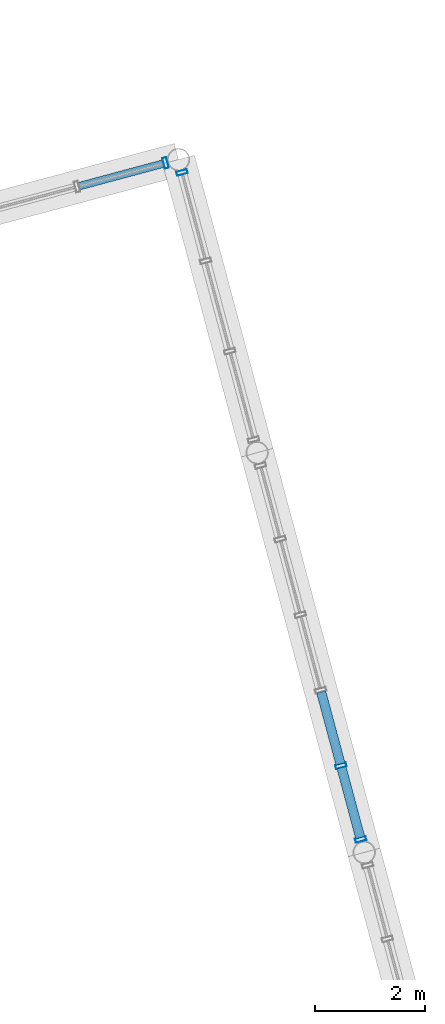
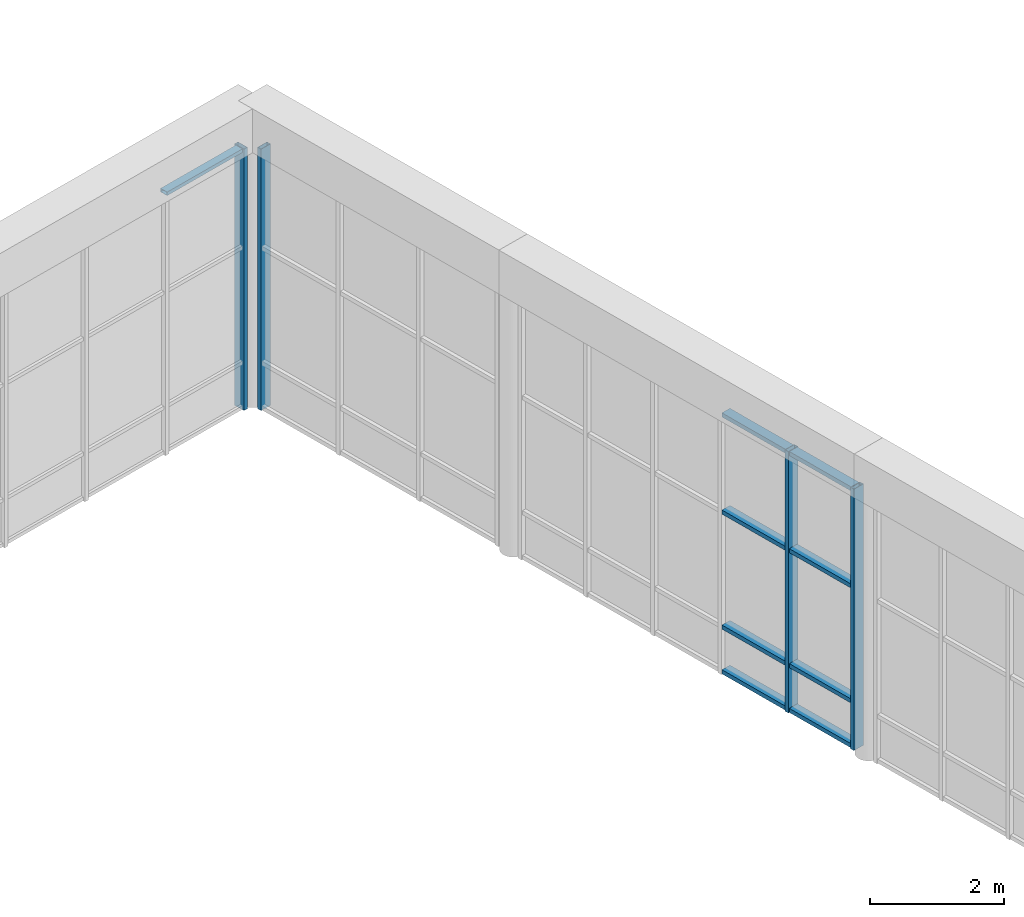
# One storey, part 36 of 55: 13 members, 3 elements without a shape of their own.
"""IFC4 building model written with IfcOpenShell, lengths in metres."""

import ifcopenshell
import ifcopenshell.guid

model = None  # the IFC model being written
_history = None  # IfcOwnerHistory: only IFC2X3 demands one
_inside = {}  # id of a spatial element -> (the spatial element, [elements in it])
_under = {}  # id of a project, library or spatial element -> (it, [spatial elements below it])
_declared = {}  # id of a project -> (the project, [libraries it declares])
_typed = {}  # id of a type object -> (the type object, [elements of that type])
_made_of = {}  # id of a material, layer set ... -> (it, [elements and type objects made of it])


def new_model(schema):
    """Start an empty IFC model of exactly this schema.

    Asked for "IFC4X3", IfcOpenShell would pick the latest addendum, in which some entities
    have other attributes; the version numbers below select the first issue.
    IFC2X3 requires an IfcOwnerHistory on every rooted entity: one is made here for all.
    """
    global model, _history
    if schema == "IFC4X3":
        model = ifcopenshell.file(schema_version=(4, 3, 0, 0))
    else:
        model = ifcopenshell.file(schema=schema)
    _inside.clear()
    _under.clear()
    _declared.clear()
    _typed.clear()
    _made_of.clear()
    _history = None
    if model.schema == "IFC2X3":
        org = make("IfcOrganization", Name="unknown")
        user = make(
            "IfcPersonAndOrganization",
            ThePerson=make("IfcPerson", FamilyName="unknown"),
            TheOrganization=org,
        )
        app = make(
            "IfcApplication",
            ApplicationDeveloper=org,
            Version="unknown",
            ApplicationFullName="unknown",
            ApplicationIdentifier="unknown",
        )
        _history = make(
            "IfcOwnerHistory",
            OwningUser=user,
            OwningApplication=app,
            ChangeAction="ADDED",
            CreationDate=0,
        )
    return model


def make(cls, **values):
    """One entity of the class cls with the attributes given. An attribute that is None is left unset."""
    return model.create_entity(
        cls, **{name: value for name, value in values.items() if value is not None}
    )


def rooted(cls, **values):
    """An entity with a GlobalId (a new one), such as an element, a storey or a relation."""
    return make(cls, GlobalId=ifcopenshell.guid.new(), OwnerHistory=_history, **values)


def si_unit(unit_type, name, prefix=None):
    """IfcSIUnit, for example si_unit("LENGTHUNIT", "METRE", prefix="MILLI")."""
    return make("IfcSIUnit", UnitType=unit_type, Prefix=prefix, Name=name)


def assignment(units):
    """IfcUnitAssignment: the units of a project."""
    return None if units is None else make("IfcUnitAssignment", Units=units)


def point(xyz):
    """IfcCartesianPoint."""
    return None if xyz is None else make("IfcCartesianPoint", Coordinates=xyz)


def direction(xyz):
    """IfcDirection."""
    return None if xyz is None else make("IfcDirection", DirectionRatios=xyz)


def frame(location, z_axis=None, x_axis=None):
    """IfcAxis2Placement3D, a coordinate frame: its origin and axes. An axis left out is left unset."""
    return make(
        "IfcAxis2Placement3D",
        Location=point(location),
        Axis=direction(z_axis),
        RefDirection=direction(x_axis),
    )


def frame_2d(location, x_axis=None):
    """IfcAxis2Placement2D, a coordinate frame in the plane: its origin and x axis."""
    return make(
        "IfcAxis2Placement2D", Location=point(location), RefDirection=direction(x_axis)
    )


def origin():
    """The frame at (0, 0, 0) with its axes left unset."""
    return frame((0.0, 0.0, 0.0))


def origin_2d():
    """The frame at (0, 0) in the plane with its x axis left unset."""
    return frame_2d((0.0, 0.0))


def place(relative_to, where):
    """IfcLocalPlacement: puts the frame where relative to a parent placement (None: the world)."""
    return make(
        "IfcLocalPlacement", PlacementRelTo=relative_to, RelativePlacement=where
    )


def context(
    kind, dimensions, precision=None, world=None, true_north=None, identifier=None
):
    """IfcGeometricRepresentationContext, for example the 3D "Model" context."""
    return make(
        "IfcGeometricRepresentationContext",
        ContextIdentifier=identifier,
        ContextType=kind,
        CoordinateSpaceDimension=dimensions,
        Precision=precision,
        WorldCoordinateSystem=world,
        TrueNorth=true_north,
    )


def subcontext(parent, identifier, kind, view, scale=None):
    """IfcGeometricRepresentationSubContext, for example "Body" below "Model"."""
    return make(
        "IfcGeometricRepresentationSubContext",
        ContextIdentifier=identifier,
        ContextType=kind,
        ParentContext=parent,
        TargetScale=scale,
        TargetView=view,
    )


def project(units=None, contexts=None):
    """IfcProject with its units and contexts."""
    return rooted(
        "IfcProject",
        Name="project",
        RepresentationContexts=contexts,
        UnitsInContext=assignment(units),
    )


def spatial(cls, under=None, at=None, **own):
    """A site, building, storey or space (cls), placed at a placement, below another one or the project."""
    s = rooted(cls, ObjectPlacement=at, **own)
    if under is not None:
        _under.setdefault(under.id(), (under, []))[1].append(s)
    return s


def profile(cls, at=None, kind="AREA", **sizes):
    """A parametric profile (cls). Its sizes go by their IFC names, for example OverallWidth=200.0."""
    return make(cls, ProfileType=kind, Position=at, **sizes)


def hollow_rectangle(**sizes):
    """IfcRectangleHollowProfileDef."""
    return profile("IfcRectangleHollowProfileDef", **sizes)


def extrude(swept, where, along, depth):
    """IfcExtrudedAreaSolid: the profile swept, set in the frame where, extruded along a direction by depth."""
    return make(
        "IfcExtrudedAreaSolid",
        SweptArea=swept,
        Position=where,
        ExtrudedDirection=direction(along),
        Depth=depth,
    )


def shape(context_of_items, identifier, shape_type, items):
    """IfcShapeRepresentation: the items that make up one representation, for example the "Body"."""
    return make(
        "IfcShapeRepresentation",
        ContextOfItems=context_of_items,
        RepresentationIdentifier=identifier,
        RepresentationType=shape_type,
        Items=items,
    )


def material(Name=None, Category=None):
    """IfcMaterial."""
    return make("IfcMaterial", Name=Name, Category=Category)


def layer(
    of_material, thickness, ventilated=None, Name=None, Category=None, Priority=None
):
    """IfcMaterialLayer: one layer of a wall or slab, of a material (None: an air gap)."""
    return make(
        "IfcMaterialLayer",
        Material=of_material,
        LayerThickness=thickness,
        IsVentilated=ventilated,
        Name=Name,
        Category=Category,
        Priority=Priority,
    )


def layer_set(layers, Name=None):
    """IfcMaterialLayerSet."""
    return make("IfcMaterialLayerSet", MaterialLayers=layers, LayerSetName=Name)


def material_profile(
    of_material, cross_section, Name=None, Category=None, Priority=None
):
    """IfcMaterialProfile: a cross section and its material."""
    return make(
        "IfcMaterialProfile",
        Name=Name,
        Material=of_material,
        Profile=cross_section,
        Priority=Priority,
        Category=Category,
    )


def profile_set(profiles, Name=None, composite=None):
    """IfcMaterialProfileSet."""
    return make(
        "IfcMaterialProfileSet",
        Name=Name,
        MaterialProfiles=profiles,
        CompositeProfile=composite,
    )


def made_of(thing, what):
    """Note that an element or type object is made of a material, layer set ...; save() writes the relation."""
    if what is not None:
        _made_of.setdefault(what.id(), (what, []))[1].append(thing)
    return thing


def type_object(cls, material=None, **own):
    """A type object (cls), such as IfcWallType, which elements share."""
    return made_of(rooted(cls, **own), material)


def element(
    cls,
    number,
    at=None,
    inside=None,
    cuts=None,
    type_object=None,
    material=None,
    context=None,
    identifier="Body",
    shape_type=None,
    held_by="IfcProductDefinitionShape",
    body=None,
    shapes=None,
    **own,
):
    """One element of the class cls, such as IfcWall. Its Tag is "e" and its number.

    at: its placement. inside: the storey or other place that contains it. cuts: it is an
    opening in that element (IfcRelVoidsElement). A single representation is given by context,
    identifier, shape_type and body (its items); several are given by shapes. held_by: the class
    of the entity that holds the representations. save() writes the other relations.
    """
    e = rooted(cls, Tag="e%d" % number, ObjectPlacement=at, **own)
    if body is not None:
        shapes = [shape(context, identifier, shape_type, body)]
    if shapes is not None:
        e.Representation = make(held_by, Representations=shapes)
    if inside is not None:
        _inside.setdefault(inside.id(), (inside, []))[1].append(e)
    if cuts is not None:
        rooted(
            "IfcRelVoidsElement", RelatingBuildingElement=cuts, RelatedOpeningElement=e
        )
    if type_object is not None:
        _typed.setdefault(type_object.id(), (type_object, []))[1].append(e)
    return made_of(e, material)


def aggregate(whole, parts):
    """IfcRelAggregates: a whole, such as a stair, and the parts it consists of."""
    return rooted("IfcRelAggregates", RelatingObject=whole, RelatedObjects=parts)


def save(model, path):
    """Write the relations noted so far, then the file.

    IfcRelAggregates (storeys below a building ...), IfcRelContainedInSpatialStructure (elements
    in a storey), IfcRelDefinesByType, IfcRelAssociatesMaterial and IfcRelDeclares: one each for
    every whole, place, type object, material and project.
    """
    for whole, parts in _under.values():
        aggregate(whole, parts)
    for where, things in _inside.values():
        rooted(
            "IfcRelContainedInSpatialStructure",
            RelatedElements=things,
            RelatingStructure=where,
        )
    for kind, things in _typed.values():
        rooted("IfcRelDefinesByType", RelatedObjects=things, RelatingType=kind)
    for what, things in _made_of.values():
        rooted("IfcRelAssociatesMaterial", RelatedObjects=things, RelatingMaterial=what)
    for by, libraries in _declared.values():
        rooted("IfcRelDeclares", RelatingContext=by, RelatedDefinitions=libraries)
    model.write(path)


model = new_model("IFC4")

# Units and contexts
model_context = context("Model", 3, precision=1e-05, world=origin(), true_north=direction((0.0, 1.0)))
body_context = subcontext(model_context, "Body", "Model", "MODEL_VIEW")
ifc_project = project(units=[si_unit("LENGTHUNIT", "METRE"), si_unit("AREAUNIT", "SQUARE_METRE"), si_unit("VOLUMEUNIT", "CUBIC_METRE"), si_unit("PLANEANGLEUNIT", "RADIAN"), si_unit("MASSUNIT", "GRAM", prefix="KILO")], contexts=[model_context])

# Site, building, storey
site_placement = place(None, origin())
site = spatial("IfcSite", under=ifc_project, at=site_placement, CompositionType="ELEMENT")
building_placement = place(site_placement, origin())
building = spatial("IfcBuilding", under=site, at=building_placement, Name="Ventoquebrada Cableway Terminal", CompositionType="ELEMENT")
storey_placement = place(building_placement, frame((0.0, 0.0, 14.39990234375)))
storey = spatial("IfcBuildingStorey", under=building, at=storey_placement, Name="L03", CompositionType="ELEMENT", Elevation=14.39990234375)

# Curtain wall, member
ifc_material = material(Name="Anodized thermally-broken aluminium", Category="aluminium")
ifc_layer_1 = layer(ifc_material, 0.159912109375)
ifc_layer_set_1 = layer_set([ifc_layer_1], Name="Anodized thermally-broken aluminium")
curtain_wall_type_1 = type_object("IfcCurtainWallType", Name="CW-T42", PredefinedType="USERDEFINED", material=ifc_layer_set_1)
curtain_wall_1_placement = place(storey_placement, origin())
curtain_wall_1 = element("IfcCurtainWall", 1, at=curtain_wall_1_placement, inside=storey, type_object=curtain_wall_type_1, Name="Unitised glazed curtain wall CW-124", ObjectType="UNITISED CURTAIN WALL", PredefinedType="USERDEFINED")
ifc_material_profile_1 = material_profile(ifc_material, hollow_rectangle(XDim=0.074951171875, YDim=0.199951171875, WallThickness=0.00439453125, at=origin_2d()), Name="CW-MUL-75X200")
ifc_profile_set_1 = profile_set([ifc_material_profile_1], Name="Anodized thermally-broken aluminium")
member_type_1 = type_object("IfcMemberType", Name="CWM-02", PredefinedType="MULLION", material=ifc_profile_set_1)
member_1_placement = place(storey_placement, frame((79.787109375, 104.153076171875, -0.0078125), z_axis=(0.0, 0.0, 1.0), x_axis=(-0.965921308897, -0.258835903649, 0.0)))
member_1 = element("IfcMember", 2, at=member_1_placement, type_object=member_type_1, Name="Curtain wall mullion FML-0601", PredefinedType="MULLION", context=body_context, shape_type="SweptSolid", body=[
    extrude(hollow_rectangle(XDim=0.074951171875, YDim=0.199951171875, WallThickness=0.00439453125, at=origin_2d()), origin(), (0.0, 0.0, 1.0), 4.762939453125),
])

# Curtain wall, members
ifc_layer_2 = layer(ifc_material, 0.159912109375)
ifc_layer_set_2 = layer_set([ifc_layer_2], Name="Anodized thermally-broken aluminium")
curtain_wall_type_2 = type_object("IfcCurtainWallType", Name="CW-T44", PredefinedType="USERDEFINED", material=ifc_layer_set_2)
curtain_wall_2_placement = place(storey_placement, origin())
curtain_wall_2 = element("IfcCurtainWall", 3, at=curtain_wall_2_placement, inside=storey, type_object=curtain_wall_type_2, Name="Unitised glazed curtain wall CW-131", ObjectType="UNITISED CURTAIN WALL", PredefinedType="USERDEFINED")
member_2_placement = place(storey_placement, frame((83.323974609375, 91.89404296875, -0.0078125), z_axis=(0.0, 0.0, 1.0), x_axis=(-0.258785327773, 0.96593486019, 0.0)))
member_2 = element("IfcMember", 4, at=member_2_placement, type_object=member_type_1, Name="Curtain wall mullion FML-0636", PredefinedType="MULLION", context=body_context, shape_type="SweptSolid", body=[
    extrude(hollow_rectangle(XDim=0.074951171875, YDim=0.199951171875, WallThickness=0.00439453125, at=origin_2d()), origin(), (0.0, 0.0, 1.0), 4.762939453125),
])
member_3_placement = place(storey_placement, frame((82.966064453125, 93.22802734375, -0.0078125), z_axis=(0.0, 0.0, 1.0), x_axis=(-0.258785327773, 0.96593486019, 0.0)))
member_3 = element("IfcMember", 5, at=member_3_placement, type_object=member_type_1, Name="Curtain wall mullion FML-0637", PredefinedType="MULLION", context=body_context, shape_type="SweptSolid", body=[
    extrude(hollow_rectangle(XDim=0.074951171875, YDim=0.199951171875, WallThickness=0.00439453125, at=origin_2d()), origin(), (0.0, 0.0, 1.0), 4.762939453125),
])

# Curtain wall, member
ifc_layer_3 = layer(ifc_material, 0.159912109375)
ifc_layer_set_3 = layer_set([ifc_layer_3], Name="Anodized thermally-broken aluminium")
curtain_wall_type_3 = type_object("IfcCurtainWallType", Name="CW-T43", PredefinedType="USERDEFINED", material=ifc_layer_set_3)
curtain_wall_3_placement = place(storey_placement, origin())
curtain_wall_3 = element("IfcCurtainWall", 6, at=curtain_wall_3_placement, inside=storey, type_object=curtain_wall_type_3, Name="Unitised glazed curtain wall CW-132", ObjectType="UNITISED CURTAIN WALL", PredefinedType="USERDEFINED")
member_4_placement = place(storey_placement, frame((80.0849609375, 103.98095703125, -0.0078125), z_axis=(0.0, 0.0, 1.0), x_axis=(-0.258835903649, 0.965921308897, 0.0)))
member_4 = element("IfcMember", 7, at=member_4_placement, type_object=member_type_1, Name="Curtain wall mullion FML-0645", PredefinedType="MULLION", context=body_context, shape_type="SweptSolid", body=[
    extrude(hollow_rectangle(XDim=0.074951171875, YDim=0.199951171875, WallThickness=0.00439453125, at=origin_2d()), origin(), (0.0, 0.0, 1.0), 4.762939453125),
])
aggregate(curtain_wall_3, [member_4])

# Member
ifc_material_profile_2 = material_profile(ifc_material, hollow_rectangle(XDim=0.06494140625, YDim=0.139892578125, WallThickness=0.00390625, at=origin_2d()), Name="CW-TRN-65X140")
ifc_profile_set_2 = profile_set([ifc_material_profile_2], Name="Anodized thermally-broken aluminium")
member_type_2 = type_object("IfcMemberType", Name="CWT-01", PredefinedType="USERDEFINED", material=ifc_profile_set_2)
member_5_placement = place(storey_placement, frame((79.756103515625, 104.14501953125, 4.715087890625), z_axis=(-0.965786809484, -0.259337306663, 0.0), x_axis=(0.0, 0.0, 1.0)))
member_5 = element("IfcMember", 8, at=member_5_placement, type_object=member_type_2, Name="Curtain wall transom FTR-1779", ObjectType="TRANSOM", PredefinedType="USERDEFINED", context=body_context, shape_type="SweptSolid", body=[
    extrude(hollow_rectangle(XDim=0.06494140625, YDim=0.139892578125, WallThickness=0.00390625, at=origin_2d()), origin(), (0.0, 0.0, 1.0), 1.5966796875),
])

aggregate(curtain_wall_1, [member_1, member_5])

ifc_material_profile_3 = material_profile(ifc_material, hollow_rectangle(XDim=0.074951171875, YDim=0.169921875, WallThickness=0.00439453125, at=origin_2d()), Name="CW-TRN-75X170")
ifc_profile_set_3 = profile_set([ifc_material_profile_3], Name="Anodized thermally-broken aluminium")
member_type_3 = type_object("IfcMemberType", Name="CWT-03", PredefinedType="USERDEFINED", material=ifc_profile_set_3)
member_6_placement = place(storey_placement, frame((83.31591796875, 91.925048828125, 0.03515625), z_axis=(-0.258816399805, 0.96592653509, 0.0), x_axis=(0.0, 0.0, 1.0)))
member_6 = element("IfcMember", 9, at=member_6_placement, type_object=member_type_3, Name="Curtain wall transom FTR-1888", ObjectType="TRANSOM", PredefinedType="USERDEFINED", context=body_context, shape_type="SweptSolid", body=[
    extrude(hollow_rectangle(XDim=0.074951171875, YDim=0.169921875, WallThickness=0.00439453125, at=origin_2d()), origin(), (0.0, 0.0, 1.0), 1.31689453125),
])

member_7_placement = place(storey_placement, frame((83.31591796875, 91.925048828125, 0.85009765625), z_axis=(-0.258816399805, 0.96592653509, 0.0), x_axis=(0.0, 0.0, 1.0)))
member_7 = element("IfcMember", 10, at=member_7_placement, type_object=member_type_3, Name="Curtain wall transom FTR-1889", ObjectType="TRANSOM", PredefinedType="USERDEFINED", context=body_context, shape_type="SweptSolid", body=[
    extrude(hollow_rectangle(XDim=0.074951171875, YDim=0.169921875, WallThickness=0.00439453125, at=origin_2d()), origin(), (0.0, 0.0, 1.0), 1.31689453125),
])

member_8_placement = place(storey_placement, frame((83.31591796875, 91.925048828125, 2.945068359375), z_axis=(-0.258816399805, 0.96592653509, 0.0), x_axis=(0.0, 0.0, 1.0)))
member_8 = element("IfcMember", 11, at=member_8_placement, type_object=member_type_3, Name="Curtain wall transom FTR-1890", ObjectType="TRANSOM", PredefinedType="USERDEFINED", context=body_context, shape_type="SweptSolid", body=[
    extrude(hollow_rectangle(XDim=0.074951171875, YDim=0.169921875, WallThickness=0.00439453125, at=origin_2d()), origin(), (0.0, 0.0, 1.0), 1.31689453125),
])

member_9_placement = place(storey_placement, frame((83.31591796875, 91.925048828125, 4.715087890625), z_axis=(-0.258816399805, 0.96592653509, 0.0), x_axis=(0.0, 0.0, 1.0)))
member_9 = element("IfcMember", 12, at=member_9_placement, type_object=member_type_3, Name="Curtain wall transom FTR-1891", ObjectType="TRANSOM", PredefinedType="USERDEFINED", context=body_context, shape_type="SweptSolid", body=[
    extrude(hollow_rectangle(XDim=0.074951171875, YDim=0.169921875, WallThickness=0.00439453125, at=origin_2d()), origin(), (0.0, 0.0, 1.0), 1.31689453125),
])

member_10_placement = place(storey_placement, frame((82.9580078125, 93.260009765625, 0.03515625), z_axis=(-0.259124454698, 0.965843940281, 0.0), x_axis=(0.0, 0.0, 1.0)))
member_10 = element("IfcMember", 13, at=member_10_placement, type_object=member_type_3, Name="Curtain wall transom FTR-1892", ObjectType="TRANSOM", PredefinedType="USERDEFINED", context=body_context, shape_type="SweptSolid", body=[
    extrude(hollow_rectangle(XDim=0.074951171875, YDim=0.169921875, WallThickness=0.00439453125, at=origin_2d()), origin(), (0.0, 0.0, 1.0), 1.35107421875),
])

member_11_placement = place(storey_placement, frame((82.9580078125, 93.260009765625, 0.85009765625), z_axis=(-0.259124454698, 0.965843940281, 0.0), x_axis=(0.0, 0.0, 1.0)))
member_11 = element("IfcMember", 14, at=member_11_placement, type_object=member_type_3, Name="Curtain wall transom FTR-1893", ObjectType="TRANSOM", PredefinedType="USERDEFINED", context=body_context, shape_type="SweptSolid", body=[
    extrude(hollow_rectangle(XDim=0.074951171875, YDim=0.169921875, WallThickness=0.00439453125, at=origin_2d()), origin(), (0.0, 0.0, 1.0), 1.35107421875),
])

member_12_placement = place(storey_placement, frame((82.9580078125, 93.260009765625, 2.945068359375), z_axis=(-0.259124454698, 0.965843940281, 0.0), x_axis=(0.0, 0.0, 1.0)))
member_12 = element("IfcMember", 15, at=member_12_placement, type_object=member_type_3, Name="Curtain wall transom FTR-1894", ObjectType="TRANSOM", PredefinedType="USERDEFINED", context=body_context, shape_type="SweptSolid", body=[
    extrude(hollow_rectangle(XDim=0.074951171875, YDim=0.169921875, WallThickness=0.00439453125, at=origin_2d()), origin(), (0.0, 0.0, 1.0), 1.35107421875),
])

member_13_placement = place(storey_placement, frame((82.9580078125, 93.260009765625, 4.715087890625), z_axis=(-0.259124454698, 0.965843940281, 0.0), x_axis=(0.0, 0.0, 1.0)))
member_13 = element("IfcMember", 16, at=member_13_placement, type_object=member_type_3, Name="Curtain wall transom FTR-1895", ObjectType="TRANSOM", PredefinedType="USERDEFINED", context=body_context, shape_type="SweptSolid", body=[
    extrude(hollow_rectangle(XDim=0.074951171875, YDim=0.169921875, WallThickness=0.00439453125, at=origin_2d()), origin(), (0.0, 0.0, 1.0), 1.35107421875),
])

aggregate(curtain_wall_2, [member_2, member_3, member_6, member_7, member_8, member_9, member_10, member_11, member_12, member_13])

save(model, "model.ifc")
